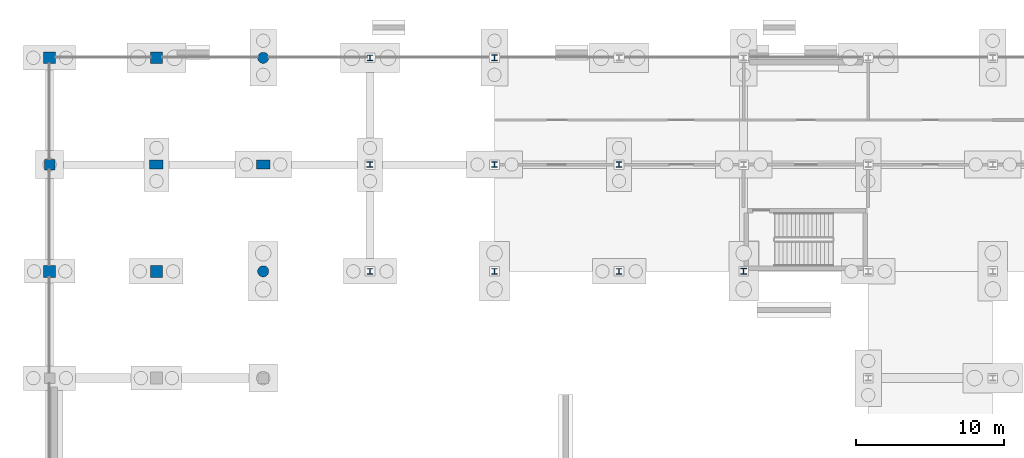
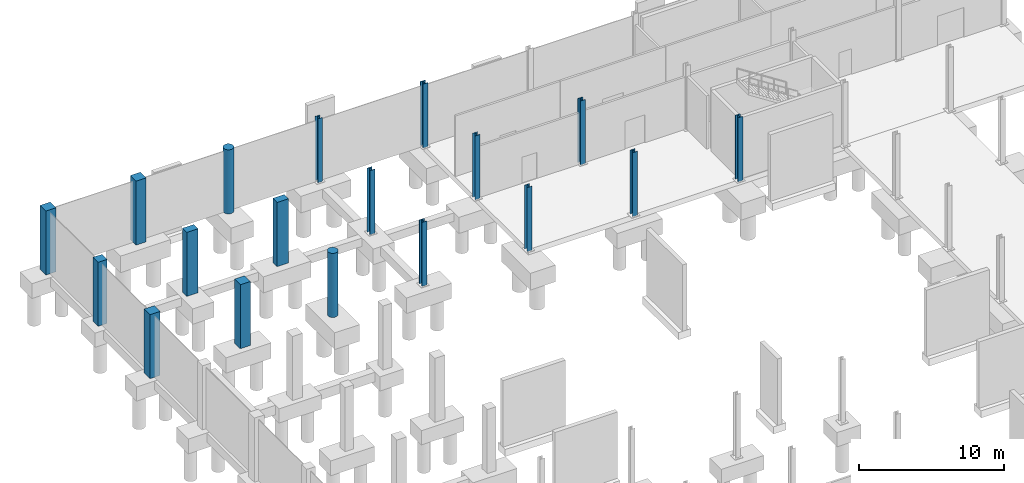
# One storey, part 24 of 61: 18 columns.
"""IFC4 building model written with IfcOpenShell, lengths in metres."""

from ifc_helpers import new_model, si_unit, direction, frame, origin, origin_2d, place, context, subcontext, project, spatial, rectangle, circle, i_section, extrude, material, material_profile, profile_set, type_object, element, save


model = new_model("IFC4")

# Units and contexts
model_context = context("Model", 3, precision=1e-05, world=origin(), true_north=direction((0.0, 1.0)))
body_context = subcontext(model_context, "Body", "Model", "MODEL_VIEW")
ifc_project = project(units=[si_unit("LENGTHUNIT", "METRE"), si_unit("AREAUNIT", "SQUARE_METRE"), si_unit("VOLUMEUNIT", "CUBIC_METRE"), si_unit("PLANEANGLEUNIT", "RADIAN"), si_unit("MASSUNIT", "GRAM", prefix="KILO")], contexts=[model_context])

# Site, building, storey
site_placement = place(None, origin())
site = spatial("IfcSite", under=ifc_project, at=site_placement, CompositionType="ELEMENT")
building_placement = place(site_placement, origin())
building = spatial("IfcBuilding", under=site, at=building_placement, Name="Calvrana Isthmian Art Gallery", CompositionType="ELEMENT")
storey_placement = place(building_placement, frame((0.0, 0.0, -5.39990234375)))
storey = spatial("IfcBuildingStorey", under=building, at=storey_placement, Name="B1", CompositionType="ELEMENT", Elevation=-5.39990234375)

# Columns
ifc_material_1 = material(Name="Concrete C40/50", Category="concrete")
ifc_material_profile_1 = material_profile(ifc_material_1, rectangle(XDim=0.699951171875, YDim=0.699951171875, at=origin_2d()), Name="RC700X700")
ifc_profile_set_1 = profile_set([ifc_material_profile_1], Name="Concrete C40/50")
column_type_1 = type_object("IfcColumnType", Name="COL-RC-RC700X700", PredefinedType="COLUMN", material=ifc_profile_set_1)
column_placement = place(storey_placement, frame((0.0, 105.60009765625, 0.0), z_axis=(0.0, 0.0, 1.0), x_axis=(1.0, 0.0, 0.0)))
element("IfcColumn", 1, at=column_placement, inside=storey, type_object=column_type_1, Name="Column 01/O B1", PredefinedType="COLUMN", context=body_context, shape_type="SweptSolid", body=[
    extrude(rectangle(XDim=0.699951171875, YDim=0.699951171875, at=origin_2d()), origin(), (0.0, 0.0, 1.0), 5.39990234375),
])
ifc_material_profile_2 = material_profile(ifc_material_1, circle(Radius=0.375, at=origin_2d()), Name="RC750D")
ifc_profile_set_2 = profile_set([ifc_material_profile_2], Name="Concrete C40/50")
column_type_2 = type_object("IfcColumnType", Name="COL-RC-RC750D", PredefinedType="COLUMN", material=ifc_profile_set_2)
for number, where, z_axis, x_axis, name in (
    (2, (14.39990234375, 98.39990234375, 0.0), (0.0, 0.0, 1.0), (1.0, 0.0, 0.0), "Column 03/N B1"),
    (3, (14.39990234375, 112.800048828125, 0.0), (0.0, 0.0, 1.0), (1.0, 0.0, 0.0), "Column 03/P B1"),
):
    element("IfcColumn", number, at=place(storey_placement, frame(where, z_axis=z_axis, x_axis=x_axis)), inside=storey, type_object=column_type_2, Name=name, PredefinedType="COLUMN", context=body_context, shape_type="SweptSolid", body=[
        extrude(circle(Radius=0.375, at=origin_2d()), origin(), (0.0, 0.0, 1.0), 5.39990234375),
    ])
ifc_material_profile_3 = material_profile(ifc_material_1, rectangle(XDim=0.800048828125, YDim=0.800048828125, at=origin_2d()), Name="RC800X800")
ifc_profile_set_3 = profile_set([ifc_material_profile_3], Name="Concrete C40/50")
column_type_3 = type_object("IfcColumnType", Name="COL-RC-RC800X800", PredefinedType="COLUMN", material=ifc_profile_set_3)
for number, where, z_axis, x_axis, name in (
    (4, (0.0, 98.39990234375, 0.0), (0.0, 0.0, 1.0), (1.0, 0.0, 0.0), "Column 01/N B1"),
    (5, (0.0, 112.800048828125, 0.0), (0.0, 0.0, 1.0), (1.0, 0.0, 0.0), "Column 01/P B1"),
    (6, (7.199951171875, 98.39990234375, 0.0), (0.0, 0.0, 1.0), (1.0, 0.0, 0.0), "Column 02/N B1"),
    (7, (7.199951171875, 112.800048828125, 0.0), (0.0, 0.0, 1.0), (1.0, 0.0, 0.0), "Column 02/P B1"),
):
    element("IfcColumn", number, at=place(storey_placement, frame(where, z_axis=z_axis, x_axis=x_axis)), inside=storey, type_object=column_type_3, Name=name, PredefinedType="COLUMN", context=body_context, shape_type="SweptSolid", body=[
        extrude(rectangle(XDim=0.800048828125, YDim=0.800048828125, at=origin_2d()), origin(), (0.0, 0.0, 1.0), 5.39990234375),
    ])
ifc_material_profile_4 = material_profile(ifc_material_1, rectangle(XDim=0.89990234375, YDim=0.60009765625, at=origin_2d()), Name="RC900X600")
ifc_profile_set_4 = profile_set([ifc_material_profile_4], Name="Concrete C40/50")
column_type_4 = type_object("IfcColumnType", Name="COL-RC-RC900X600", PredefinedType="COLUMN", material=ifc_profile_set_4)
for number, where, z_axis, x_axis, name in (
    (8, (7.199951171875, 105.60009765625, 0.0), (0.0, 0.0, 1.0), (1.0, 0.0, 0.0), "Column 02/O B1"),
    (9, (14.39990234375, 105.60009765625, 0.0), (0.0, 0.0, 1.0), (1.0, 0.0, 0.0), "Column 03/O B1"),
):
    element("IfcColumn", number, at=place(storey_placement, frame(where, z_axis=z_axis, x_axis=x_axis)), inside=storey, type_object=column_type_4, Name=name, PredefinedType="COLUMN", context=body_context, shape_type="SweptSolid", body=[
        extrude(rectangle(XDim=0.89990234375, YDim=0.60009765625, at=origin_2d()), origin(), (0.0, 0.0, 1.0), 5.39990234375),
    ])
ifc_material_2 = material(Name="Steel ASTM A992 Gr 50", Category="steel")
ifc_material_profile_5 = material_profile(ifc_material_2, i_section(OverallWidth=0.373046875, OverallDepth=0.373046875, WebThickness=0.016357421875, FlangeThickness=0.026123046875, FilletRadius=0.02490234375, at=origin_2d()), Name="W14X132")
ifc_profile_set_5 = profile_set([ifc_material_profile_5], Name="Steel ASTM A992 Gr 50")
column_type_5 = type_object("IfcColumnType", Name="COL-STL-W14X132", PredefinedType="COLUMN", material=ifc_profile_set_5)
for number, where, z_axis, x_axis, name in (
    (10, (21.60009765625, 112.800048828125, 0.0), (0.0, 0.0, 1.0), (1.0, 0.0, 0.0), "Column 04/P B1"),
    (11, (38.39990234375, 98.39990234375, 0.0), (0.0, 0.0, 1.0), (1.0, 0.0, 0.0), "Column 06/N B1"),
):
    element("IfcColumn", number, at=place(storey_placement, frame(where, z_axis=z_axis, x_axis=x_axis)), inside=storey, type_object=column_type_5, Name=name, PredefinedType="COLUMN", context=body_context, shape_type="SweptSolid", body=[
        extrude(i_section(OverallWidth=0.373046875, OverallDepth=0.373046875, WebThickness=0.016357421875, FlangeThickness=0.026123046875, FilletRadius=0.02490234375, at=origin_2d()), origin(), (0.0, 0.0, 1.0), 5.39990234375),
    ])
ifc_material_profile_6 = material_profile(ifc_material_2, i_section(OverallWidth=0.39404296875, OverallDepth=0.3759765625, WebThickness=0.017333984375, FlangeThickness=0.027587890625, FilletRadius=0.02490234375, at=origin_2d()), Name="W14X145")
ifc_profile_set_6 = profile_set([ifc_material_profile_6], Name="Steel ASTM A992 Gr 50")
column_type_6 = type_object("IfcColumnType", Name="COL-STL-W14X145", PredefinedType="COLUMN", material=ifc_profile_set_6)
for number, where, z_axis, x_axis, name in (
    (12, (30.0, 98.39990234375, 0.0), (0.0, 0.0, 1.0), (1.0, 0.0, 0.0), "Column 05/N B1"),
    (13, (38.39990234375, 105.60009765625, 0.0), (0.0, 0.0, 1.0), (1.0, 0.0, 0.0), "Column 06/O B1"),
):
    element("IfcColumn", number, at=place(storey_placement, frame(where, z_axis=z_axis, x_axis=x_axis)), inside=storey, type_object=column_type_6, Name=name, PredefinedType="COLUMN", context=body_context, shape_type="SweptSolid", body=[
        extrude(i_section(OverallWidth=0.39404296875, OverallDepth=0.3759765625, WebThickness=0.017333984375, FlangeThickness=0.027587890625, FilletRadius=0.02490234375, at=origin_2d()), origin(), (0.0, 0.0, 1.0), 5.39990234375),
    ])
ifc_material_profile_7 = material_profile(ifc_material_2, i_section(OverallWidth=0.39599609375, OverallDepth=0.381103515625, WebThickness=0.018798828125, FlangeThickness=0.0302734375, FilletRadius=0.02490234375, at=origin_2d()), Name="W14X159")
ifc_profile_set_7 = profile_set([ifc_material_profile_7], Name="Steel ASTM A992 Gr 50")
column_type_7 = type_object("IfcColumnType", Name="COL-STL-W14X159", PredefinedType="COLUMN", material=ifc_profile_set_7)
for number, where, z_axis, x_axis, name in (
    (14, (21.60009765625, 98.39990234375, 0.0), (0.0, 0.0, 1.0), (1.0, 0.0, 0.0), "Column 04/N B1"),
    (15, (30.0, 105.60009765625, 0.0), (0.0, 0.0, 1.0), (1.0, 0.0, 0.0), "Column 05/O B1"),
):
    element("IfcColumn", number, at=place(storey_placement, frame(where, z_axis=z_axis, x_axis=x_axis)), inside=storey, type_object=column_type_7, Name=name, PredefinedType="COLUMN", context=body_context, shape_type="SweptSolid", body=[
        extrude(i_section(OverallWidth=0.39599609375, OverallDepth=0.381103515625, WebThickness=0.018798828125, FlangeThickness=0.0302734375, FilletRadius=0.02490234375, at=origin_2d()), origin(), (0.0, 0.0, 1.0), 5.39990234375),
    ])
ifc_material_profile_8 = material_profile(ifc_material_2, i_section(OverallWidth=0.39892578125, OverallDepth=0.385986328125, WebThickness=0.02099609375, FlangeThickness=0.033203125, FilletRadius=0.02490234375, at=origin_2d()), Name="W14X176")
ifc_profile_set_8 = profile_set([ifc_material_profile_8], Name="Steel ASTM A992 Gr 50")
column_type_8 = type_object("IfcColumnType", Name="COL-STL-W14X176", PredefinedType="COLUMN", material=ifc_profile_set_8)
for number, where, z_axis, x_axis, name in (
    (16, (21.60009765625, 105.60009765625, 0.0), (0.0, 0.0, 1.0), (1.0, 0.0, 0.0), "Column 04/O B1"),
    (17, (30.0, 112.800048828125, 0.0), (0.0, 0.0, 1.0), (1.0, 0.0, 0.0), "Column 05/P B1"),
    (18, (46.800048828125, 98.39990234375, 0.0), (0.0, 0.0, 1.0), (1.0, 0.0, 0.0), "Column 07/N B1"),
):
    element("IfcColumn", number, at=place(storey_placement, frame(where, z_axis=z_axis, x_axis=x_axis)), inside=storey, type_object=column_type_8, Name=name, PredefinedType="COLUMN", context=body_context, shape_type="SweptSolid", body=[
        extrude(i_section(OverallWidth=0.39892578125, OverallDepth=0.385986328125, WebThickness=0.02099609375, FlangeThickness=0.033203125, FilletRadius=0.02490234375, at=origin_2d()), origin(), (0.0, 0.0, 1.0), 5.39990234375),
    ])

save(model, "model.ifc")
